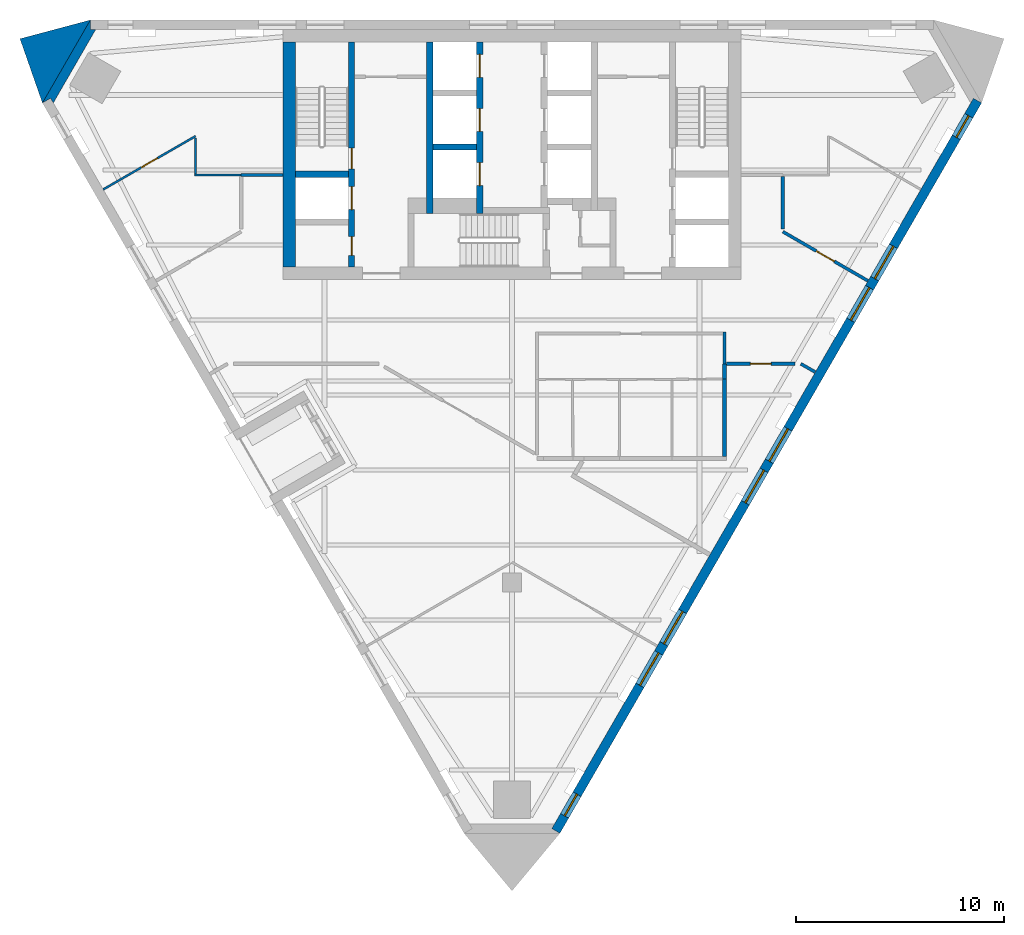
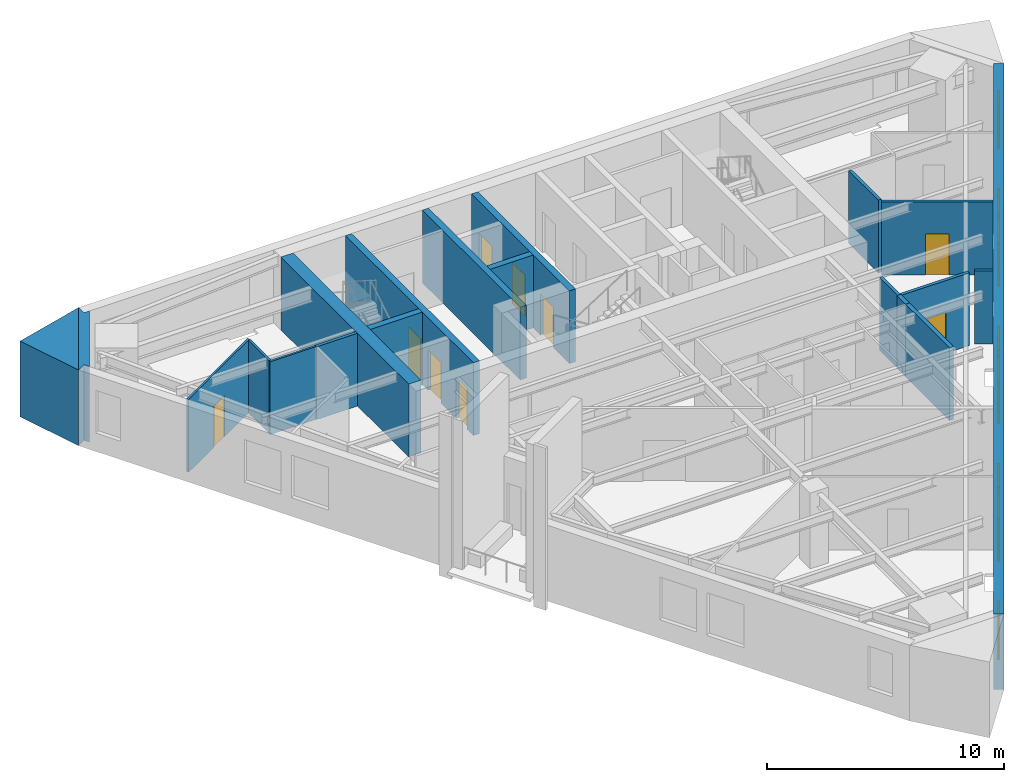
# One storey, part 4 of 7: 20 walls, 9 doors, 8 windows, 17 openings.
"""IFC4 building model written with IfcOpenShell, lengths in metres."""

from ifc_helpers import new_model, si_unit, direction, frame, frame_2d, origin, place, context, subcontext, project, spatial, polyline, rectangle, outline, extrude, material, layer, layer_set, type_object, element, fill, save


model = new_model("IFC4")

# Units and contexts
model_context = context("Model", 3, precision=1e-05, world=origin(), true_north=direction((0.0, 1.0)))
body_context = subcontext(model_context, "Body", "Model", "MODEL_VIEW")
ifc_project = project(units=[si_unit("LENGTHUNIT", "METRE"), si_unit("AREAUNIT", "SQUARE_METRE"), si_unit("VOLUMEUNIT", "CUBIC_METRE"), si_unit("PLANEANGLEUNIT", "RADIAN"), si_unit("MASSUNIT", "GRAM", prefix="KILO")], contexts=[model_context])

# Site, building, storey
site_placement = place(None, origin())
site = spatial("IfcSite", under=ifc_project, at=site_placement, CompositionType="ELEMENT")
building_placement = place(site_placement, origin())
building = spatial("IfcBuilding", under=site, at=building_placement, Name="Aloe Facet Convention Tower", CompositionType="ELEMENT")
storey_placement = place(building_placement, frame((0.0, 0.0, 148.10009765625)))
storey = spatial("IfcBuildingStorey", under=building, at=storey_placement, Name="L37", CompositionType="ELEMENT", Elevation=148.10009765625)

# Wall
ifc_material_1 = material(Name="Concrete C60/75", Category="concrete")
ifc_layer_1 = layer(ifc_material_1, 0.300048828125)
ifc_layer_set_1 = layer_set([ifc_layer_1], Name="CR-W-RC300-C6075")
wall_type_1 = type_object("IfcWallType", Name="CR-W-RC300-C6075", PredefinedType="SOLIDWALL", material=ifc_layer_set_1)
wall_1_placement = place(storey_placement, frame((69.60009765625, 127.60009765625, 0.0), z_axis=(0.0, 0.0, 1.0), x_axis=(1.0, 0.0, 0.0)))
element("IfcWall", 1, at=wall_1_placement, inside=storey, type_object=wall_type_1, Name="Core wall L37-004", PredefinedType="SOLIDWALL", context=body_context, shape_type="SweptSolid", body=[
    extrude(rectangle(XDim=2.5498046875, YDim=0.300048828125, at=frame_2d((1.27490234375, 0.0))), origin(), (0.0, 0.0, 1.0), 3.75),
])

# Wall, openings, doors
wall_2_placement = place(storey_placement, frame((72.300048828125, 133.949951171875, 0.0), z_axis=(0.0, 0.0, 1.0), x_axis=(0.0, -1.0, 0.0)))
wall_2 = element("IfcWall", 2, at=wall_2_placement, inside=storey, type_object=wall_type_1, Name="Core wall L37-006", PredefinedType="SOLIDWALL", context=body_context, shape_type="SweptSolid", body=[
    extrude(rectangle(XDim=10.800048828125, YDim=0.300048828125, at=frame_2d((5.39990234375, 0.0))), origin(), (0.0, 0.0, 1.0), 3.75),
])
opening_1_placement = place(wall_2_placement, frame((6.949951171875, 0.0, 0.0)))
opening_1 = element("IfcOpeningElement", 3, at=opening_1_placement, cuts=wall_2, Name="Opening LD-FF1-L37", PredefinedType="OPENING", context=body_context, shape_type="SweptSolid", body=[
    extrude(rectangle(XDim=1.10009765625, YDim=2.10009765625, at=frame_2d((0.550048828125, 1.050048828125))), frame((0.0, 0.16015625, 0.0), z_axis=(0.0, -1.0, 0.0), x_axis=(1.0, 0.0, 0.0)), (0.0, 0.0, 1.0), 0.320068359375),
])
opening_2_placement = place(wall_2_placement, frame((9.35009765625, 0.0, 0.0)))
opening_2 = element("IfcOpeningElement", 4, at=opening_2_placement, cuts=wall_2, Name="Opening L37-CD15", PredefinedType="OPENING", context=body_context, shape_type="SweptSolid", body=[
    extrude(rectangle(XDim=0.89990234375, YDim=2.10009765625, at=frame_2d((0.449951171875, 1.050048828125))), frame((0.0, 0.16015625, 0.0), z_axis=(0.0, -1.0, 0.0), x_axis=(1.0, 0.0, 0.0)), (0.0, 0.0, 1.0), 0.320068359375),
])
opening_3_placement = place(wall_2_placement, frame((5.10009765625, 0.0, 0.0)))
opening_3 = element("IfcOpeningElement", 5, at=opening_3_placement, cuts=wall_2, Name="Opening L37-CD16", PredefinedType="OPENING", context=body_context, shape_type="SweptSolid", body=[
    extrude(rectangle(XDim=1.0, YDim=2.10009765625, at=frame_2d((0.5, 1.050048828125))), frame((0.0, 0.16015625, 0.0), z_axis=(0.0, -1.0, 0.0), x_axis=(1.0, 0.0, 0.0)), (0.0, 0.0, 1.0), 0.320068359375),
])
ifc_material_2 = material(Name="Steel fire-resisting door set FD60", Category="steel")
door_type_1 = type_object("IfcDoorType", Name="CR-D-ROOM-900-FD60-SLEFT", OperationType="SINGLE_SWING_LEFT", PredefinedType="DOOR", material=ifc_material_2)
door_1_placement = place(opening_2_placement, origin())
door_1 = element("IfcDoor", 6, at=door_1_placement, inside=storey, type_object=door_type_1, Name="Core door L37-CD15", OperationType="SINGLE_SWING_LEFT", OverallHeight=2.10009765625, OverallWidth=0.89990234375, PredefinedType="DOOR", context=body_context, shape_type="SweptSolid", body=[
    extrude(rectangle(XDim=0.89990234375, YDim=2.10009765625, at=frame_2d((0.449951171875, 1.050048828125))), frame((0.0, 0.02490234375, 0.0), z_axis=(0.0, -1.0, 0.0), x_axis=(1.0, 0.0, 0.0)), (0.0, 0.0, 1.0), 0.050048828125),
])
fill(opening_2, door_1)
ifc_material_3 = material(Name="Steel fire-resisting door set FD120", Category="steel")
door_type_2 = type_object("IfcDoorType", Name="CR-D-STAIR-1000-FD120-SRIGHT", OperationType="SINGLE_SWING_RIGHT", PredefinedType="DOOR", material=ifc_material_3)
door_2_placement = place(opening_3_placement, origin())
door_2 = element("IfcDoor", 7, at=door_2_placement, inside=storey, type_object=door_type_2, Name="Core door L37-CD16", OperationType="SINGLE_SWING_RIGHT", OverallHeight=2.10009765625, OverallWidth=1.0, PredefinedType="DOOR", context=body_context, shape_type="SweptSolid", body=[
    extrude(rectangle(XDim=1.0, YDim=2.10009765625, at=frame_2d((0.5, 1.050048828125))), frame((0.0, 0.02490234375, 0.0), z_axis=(0.0, -1.0, 0.0), x_axis=(1.0, 0.0, 0.0)), (0.0, 0.0, 1.0), 0.050048828125),
])
fill(opening_3, door_2)
ifc_material_4 = material(Name="Stainless steel sliding landing door", Category="steel")
door_type_3 = type_object("IfcDoorType", Name="CR-LD-1100-FD120-_LEFT", OperationType="SLIDING_TO_LEFT", PredefinedType="DOOR", material=ifc_material_4)
door_3_placement = place(opening_1_placement, origin())
door_3 = element("IfcDoor", 8, at=door_3_placement, inside=storey, type_object=door_type_3, Name="Landing door FF1 L37", OperationType="SLIDING_TO_LEFT", OverallHeight=2.10009765625, OverallWidth=1.10009765625, PredefinedType="DOOR", context=body_context, shape_type="SweptSolid", body=[
    extrude(rectangle(XDim=1.10009765625, YDim=2.10009765625, at=frame_2d((0.550048828125, 1.050048828125))), frame((0.0, 0.02490234375, 0.0), z_axis=(0.0, -1.0, 0.0), x_axis=(1.0, 0.0, 0.0)), (0.0, 0.0, 1.0), 0.050048828125),
])
fill(opening_1, door_3)

# Walls
wall_3_placement = place(storey_placement, frame((76.050048828125, 133.949951171875, 0.0), z_axis=(0.0, 0.0, 1.0), x_axis=(0.0, -1.0, 0.0)))
element("IfcWall", 9, at=wall_3_placement, inside=storey, type_object=wall_type_1, Name="Core wall L37-010", PredefinedType="SOLIDWALL", context=body_context, shape_type="SweptSolid", body=[
    extrude(rectangle(XDim=8.25, YDim=0.300048828125, at=frame_2d((4.125, 0.0))), origin(), (0.0, 0.0, 1.0), 3.75),
])
wall_4_placement = place(storey_placement, frame((76.199951171875, 128.89990234375, 0.0), z_axis=(0.0, 0.0, 1.0), x_axis=(1.0, 0.0, 0.0)))
element("IfcWall", 10, at=wall_4_placement, inside=storey, type_object=wall_type_1, Name="Core wall L37-012", PredefinedType="SOLIDWALL", context=body_context, shape_type="SweptSolid", body=[
    extrude(rectangle(XDim=2.10009765625, YDim=0.300048828125, at=frame_2d((1.050048828125, 0.0))), origin(), (0.0, 0.0, 1.0), 3.75),
])

# Wall, openings, doors
wall_5_placement = place(storey_placement, frame((78.449951171875, 133.949951171875, 0.0), z_axis=(0.0, 0.0, 1.0), x_axis=(0.0, -1.0, 0.0)))
wall_5 = element("IfcWall", 11, at=wall_5_placement, inside=storey, type_object=wall_type_1, Name="Core wall L37-014", PredefinedType="SOLIDWALL", context=body_context, shape_type="SweptSolid", body=[
    extrude(rectangle(XDim=8.25, YDim=0.300048828125, at=frame_2d((4.125, 0.0))), origin(), (0.0, 0.0, 1.0), 3.75),
])
opening_4_placement = place(wall_5_placement, frame((0.60009765625, 0.0, 0.0)))
opening_4 = element("IfcOpeningElement", 12, at=opening_4_placement, cuts=wall_5, Name="Opening LD-B1-L37", PredefinedType="OPENING", context=body_context, shape_type="SweptSolid", body=[
    extrude(rectangle(XDim=1.10009765625, YDim=2.10009765625, at=frame_2d((0.550048828125, 1.050048828125))), frame((0.0, 0.16015625, 0.0), z_axis=(0.0, -1.0, 0.0), x_axis=(1.0, 0.0, 0.0)), (0.0, 0.0, 1.0), 0.320068359375),
])
opening_5_placement = place(wall_5_placement, frame((3.199951171875, 0.0, 0.0)))
opening_5 = element("IfcOpeningElement", 13, at=opening_5_placement, cuts=wall_5, Name="Opening LD-B2-L37", PredefinedType="OPENING", context=body_context, shape_type="SweptSolid", body=[
    extrude(rectangle(XDim=1.10009765625, YDim=2.10009765625, at=frame_2d((0.550048828125, 1.050048828125))), frame((0.0, 0.16015625, 0.0), z_axis=(0.0, -1.0, 0.0), x_axis=(1.0, 0.0, 0.0)), (0.0, 0.0, 1.0), 0.320068359375),
])
opening_6_placement = place(wall_5_placement, frame((5.800048828125, 0.0, 0.0)))
opening_6 = element("IfcOpeningElement", 14, at=opening_6_placement, cuts=wall_5, Name="Opening LD-B3-L37", PredefinedType="OPENING", context=body_context, shape_type="SweptSolid", body=[
    extrude(rectangle(XDim=1.10009765625, YDim=2.10009765625, at=frame_2d((0.550048828125, 1.050048828125))), frame((0.0, 0.16015625, 0.0), z_axis=(0.0, -1.0, 0.0), x_axis=(1.0, 0.0, 0.0)), (0.0, 0.0, 1.0), 0.320068359375),
])
ifc_material_5 = material(Name="Stainless steel sliding landing door", Category="steel")
door_type_4 = type_object("IfcDoorType", Name="CR-LD-1100-FD60-RIGHT", OperationType="SLIDING_TO_RIGHT", PredefinedType="DOOR", material=ifc_material_5)
door_4_placement = place(opening_4_placement, origin())
door_4 = element("IfcDoor", 15, at=door_4_placement, inside=storey, type_object=door_type_4, Name="Landing door B1 L37", OperationType="SLIDING_TO_RIGHT", OverallHeight=2.10009765625, OverallWidth=1.10009765625, PredefinedType="DOOR", context=body_context, shape_type="SweptSolid", body=[
    extrude(rectangle(XDim=1.10009765625, YDim=2.10009765625, at=frame_2d((0.550048828125, 1.050048828125))), frame((0.0, 0.02490234375, 0.0), z_axis=(0.0, -1.0, 0.0), x_axis=(1.0, 0.0, 0.0)), (0.0, 0.0, 1.0), 0.050048828125),
])
fill(opening_4, door_4)
door_5_placement = place(opening_5_placement, origin())
door_5 = element("IfcDoor", 16, at=door_5_placement, inside=storey, type_object=door_type_4, Name="Landing door B2 L37", OperationType="SLIDING_TO_RIGHT", OverallHeight=2.10009765625, OverallWidth=1.10009765625, PredefinedType="DOOR", context=body_context, shape_type="SweptSolid", body=[
    extrude(rectangle(XDim=1.10009765625, YDim=2.10009765625, at=frame_2d((0.550048828125, 1.050048828125))), frame((0.0, 0.02490234375, 0.0), z_axis=(0.0, -1.0, 0.0), x_axis=(1.0, 0.0, 0.0)), (0.0, 0.0, 1.0), 0.050048828125),
])
fill(opening_5, door_5)
door_6_placement = place(opening_6_placement, origin())
door_6 = element("IfcDoor", 17, at=door_6_placement, inside=storey, type_object=door_type_4, Name="Landing door B3 L37", OperationType="SLIDING_TO_RIGHT", OverallHeight=2.10009765625, OverallWidth=1.10009765625, PredefinedType="DOOR", context=body_context, shape_type="SweptSolid", body=[
    extrude(rectangle(XDim=1.10009765625, YDim=2.10009765625, at=frame_2d((0.550048828125, 1.050048828125))), frame((0.0, 0.02490234375, 0.0), z_axis=(0.0, -1.0, 0.0), x_axis=(1.0, 0.0, 0.0)), (0.0, 0.0, 1.0), 0.050048828125),
])
fill(opening_6, door_6)

# Walls
ifc_material_6 = material(Name="Concrete C60/75", Category="concrete")
ifc_layer_2 = layer(ifc_material_6, 0.60009765625)
ifc_layer_set_2 = layer_set([ifc_layer_2], Name="CR-W-RC600-C6075")
wall_type_2 = type_object("IfcWallType", Name="CR-W-RC600-C6075", PredefinedType="SOLIDWALL", material=ifc_layer_set_2)
wall_6_placement = place(storey_placement, frame((69.300048828125, 133.949951171875, 0.0), z_axis=(0.0, 0.0, 1.0), x_axis=(0.0, -1.0, 0.0)))
element("IfcWall", 18, at=wall_6_placement, inside=storey, type_object=wall_type_2, Name="Core wall L37-002", PredefinedType="SOLIDWALL", context=body_context, shape_type="SweptSolid", body=[
    extrude(rectangle(XDim=10.800048828125, YDim=0.60009765625, at=frame_2d((5.39990234375, 0.0))), origin(), (0.0, 0.0, 1.0), 3.75),
])
ifc_material_7 = material(Name="Precast concrete C40/50", Category="concrete")
ifc_layer_3 = layer(ifc_material_7, 0.449951171875)
ifc_layer_set_3 = layer_set([ifc_layer_3], Name="EV-WALL-PIER")
wall_type_3 = type_object("IfcWallType", Name="EV-WALL-PIER", PredefinedType="SOLIDWALL", material=ifc_layer_set_3)
wall_7_placement = place(storey_placement, frame((0.0, 0.0, -0.150146484375)))
element("IfcWall", 19, at=wall_7_placement, inside=storey, type_object=wall_type_3, Name="EP-L37-A", PredefinedType="SOLIDWALL", context=body_context, shape_type="SweptSolid", body=[
    extrude(outline(polyline([(59.7568359375, 135.0), (59.7568359375, 134.550048828125), (60.016845703125, 134.550048828125), (57.9765625, 131.016357421875), (57.8466796875, 131.2412109375), (57.45703125, 131.016357421875), (59.7568359375, 135.0)])), origin(), (0.0, 0.0, 1.0), 3.900146484375),
])
ifc_material_8 = material(Name="Precast concrete C40/50", Category="concrete")
ifc_layer_4 = layer(ifc_material_8, 3.947998046875)
ifc_layer_set_4 = layer_set([ifc_layer_4], Name="EV-WALL-SPINE")
wall_type_4 = type_object("IfcWallType", Name="EV-WALL-SPINE", PredefinedType="SOLIDWALL", material=ifc_layer_set_4)
wall_8_placement = place(storey_placement, frame((0.0, 0.0, -0.150146484375)))
element("IfcWall", 20, at=wall_8_placement, inside=storey, type_object=wall_type_4, Name="SP-NW-L37", PredefinedType="SOLIDWALL", context=body_context, shape_type="SweptSolid", body=[
    extrude(outline(polyline([(59.7568359375, 135.0), (56.379638671875, 134.0986328125), (57.45703125, 131.016357421875), (59.7568359375, 135.0)])), origin(), (0.0, 0.0, 1.0), 3.900146484375),
])

# Wall, openings, windows
ifc_material_9 = material(Name="Precast concrete C40/50", Category="concrete")
ifc_layer_5 = layer(ifc_material_9, 0.449951171875)
ifc_layer_set_5 = layer_set([ifc_layer_5], Name="EV-WALL-STONE")
wall_type_5 = type_object("IfcWallType", Name="EV-WALL-STONE", PredefinedType="SOLIDWALL", material=ifc_layer_set_5)
wall_9_placement = place(storey_placement, frame((82.105224609375, 96.066650390625, -0.150146484375), z_axis=(0.0, 0.0, 1.0), x_axis=(0.499997369791, 0.866026922331, 0.0)))
wall_9 = element("IfcWall", 21, at=wall_9_placement, inside=storey, type_object=wall_type_5, Name="EW-L37-E01", PredefinedType="SOLIDWALL", context=body_context, shape_type="SweptSolid", body=[
    extrude(outline(polyline([(40.486083984375, 0.0), (40.486083984375, 3.900146484375), (0.0, 3.900146484375), (0.0, 0.0), (40.486083984375, 0.0)])), frame((0.0, 0.22509765625, 0.0), z_axis=(0.0, -1.0, 0.0), x_axis=(1.0, 0.0, 0.0)), (0.0, 0.0, 1.0), 0.449951171875),
])
opening_7_placement = place(wall_9_placement, frame((0.83740234375, 0.0, 0.949951171875)))
opening_7 = element("IfcOpeningElement", 22, at=opening_7_placement, cuts=wall_9, Name="Opening W-L37-E01", PredefinedType="OPENING", context=body_context, shape_type="SweptSolid", body=[
    extrude(rectangle(XDim=1.199951171875, YDim=2.199951171875, at=frame_2d((0.60009765625, 1.10009765625))), frame((0.0, 0.23486328125, 0.0), z_axis=(0.0, -1.0, 0.0), x_axis=(1.0, 0.0, 0.0)), (0.0, 0.0, 1.0), 0.469970703125),
])
opening_8_placement = place(wall_9_placement, frame((8.071533203125, 0.0, 0.949951171875)))
opening_8 = element("IfcOpeningElement", 23, at=opening_8_placement, cuts=wall_9, Name="Opening W-L37-E02", PredefinedType="OPENING", context=body_context, shape_type="SweptSolid", body=[
    extrude(rectangle(XDim=1.800048828125, YDim=2.199951171875, at=frame_2d((0.89990234375, 1.10009765625))), frame((0.0, 0.23486328125, 0.0), z_axis=(0.0, -1.0, 0.0), x_axis=(1.0, 0.0, 0.0)), (0.0, 0.0, 1.0), 0.469970703125),
])
opening_9_placement = place(wall_9_placement, frame((10.37158203125, 0.0, 0.949951171875)))
opening_9 = element("IfcOpeningElement", 24, at=opening_9_placement, cuts=wall_9, Name="Opening W-L37-E03", PredefinedType="OPENING", context=body_context, shape_type="SweptSolid", body=[
    extrude(rectangle(XDim=1.800048828125, YDim=2.199951171875, at=frame_2d((0.89990234375, 1.10009765625))), frame((0.0, 0.23486328125, 0.0), z_axis=(0.0, -1.0, 0.0), x_axis=(1.0, 0.0, 0.0)), (0.0, 0.0, 1.0), 0.469970703125),
])
opening_10_placement = place(wall_9_placement, frame((18.193115234375, 0.0, 0.949951171875)))
opening_10 = element("IfcOpeningElement", 25, at=opening_10_placement, cuts=wall_9, Name="Opening W-L37-E04", PredefinedType="OPENING", context=body_context, shape_type="SweptSolid", body=[
    extrude(rectangle(XDim=1.800048828125, YDim=2.199951171875, at=frame_2d((0.89990234375, 1.10009765625))), frame((0.0, 0.23486328125, 0.0), z_axis=(0.0, -1.0, 0.0), x_axis=(1.0, 0.0, 0.0)), (0.0, 0.0, 1.0), 0.469970703125),
])
opening_11_placement = place(wall_9_placement, frame((20.4931640625, 0.0, 0.949951171875)))
opening_11 = element("IfcOpeningElement", 26, at=opening_11_placement, cuts=wall_9, Name="Opening W-L37-E05", PredefinedType="OPENING", context=body_context, shape_type="SweptSolid", body=[
    extrude(rectangle(XDim=1.800048828125, YDim=2.199951171875, at=frame_2d((0.89990234375, 1.10009765625))), frame((0.0, 0.23486328125, 0.0), z_axis=(0.0, -1.0, 0.0), x_axis=(1.0, 0.0, 0.0)), (0.0, 0.0, 1.0), 0.469970703125),
])
opening_12_placement = place(wall_9_placement, frame((28.314697265625, 0.0, 0.949951171875)))
opening_12 = element("IfcOpeningElement", 27, at=opening_12_placement, cuts=wall_9, Name="Opening W-L37-E06", PredefinedType="OPENING", context=body_context, shape_type="SweptSolid", body=[
    extrude(rectangle(XDim=1.800048828125, YDim=2.199951171875, at=frame_2d((0.89990234375, 1.10009765625))), frame((0.0, 0.23486328125, 0.0), z_axis=(0.0, -1.0, 0.0), x_axis=(1.0, 0.0, 0.0)), (0.0, 0.0, 1.0), 0.469970703125),
])
opening_13_placement = place(wall_9_placement, frame((30.614501953125, 0.0, 0.949951171875)))
opening_13 = element("IfcOpeningElement", 28, at=opening_13_placement, cuts=wall_9, Name="Opening W-L37-E07", PredefinedType="OPENING", context=body_context, shape_type="SweptSolid", body=[
    extrude(rectangle(XDim=1.800048828125, YDim=2.199951171875, at=frame_2d((0.89990234375, 1.10009765625))), frame((0.0, 0.23486328125, 0.0), z_axis=(0.0, -1.0, 0.0), x_axis=(1.0, 0.0, 0.0)), (0.0, 0.0, 1.0), 0.469970703125),
])
opening_14_placement = place(wall_9_placement, frame((38.44873046875, 0.0, 0.949951171875)))
opening_14 = element("IfcOpeningElement", 29, at=opening_14_placement, cuts=wall_9, Name="Opening W-L37-E08", PredefinedType="OPENING", context=body_context, shape_type="SweptSolid", body=[
    extrude(rectangle(XDim=1.199951171875, YDim=2.199951171875, at=frame_2d((0.60009765625, 1.10009765625))), frame((0.0, 0.23486328125, 0.0), z_axis=(0.0, -1.0, 0.0), x_axis=(1.0, 0.0, 0.0)), (0.0, 0.0, 1.0), 0.469970703125),
])
ifc_material_10 = material(Name="Aluminium frame, clear double glazing", Category="aluminium")
window_type_1 = type_object("IfcWindowType", Name="EV-WIN-O12", PartitioningType="SINGLE_PANEL", PredefinedType="WINDOW", material=ifc_material_10)
window_1_placement = place(opening_7_placement, origin())
window_1 = element("IfcWindow", 30, at=window_1_placement, inside=storey, type_object=window_type_1, Name="W-L37-E01", OverallHeight=2.199951171875, OverallWidth=1.199951171875, PartitioningType="SINGLE_PANEL", PredefinedType="WINDOW", context=body_context, shape_type="SweptSolid", body=[
    extrude(rectangle(XDim=1.199951171875, YDim=2.199951171875, at=frame_2d((0.60009765625, 1.10009765625))), frame((0.0, 0.030029296875, 0.0), z_axis=(0.0, -1.0, 0.0), x_axis=(1.0, 0.0, 0.0)), (0.0, 0.0, 1.0), 0.06005859375),
])
fill(opening_7, window_1)
window_2_placement = place(opening_14_placement, origin())
window_2 = element("IfcWindow", 31, at=window_2_placement, inside=storey, type_object=window_type_1, Name="W-L37-E08", OverallHeight=2.199951171875, OverallWidth=1.199951171875, PartitioningType="SINGLE_PANEL", PredefinedType="WINDOW", context=body_context, shape_type="SweptSolid", body=[
    extrude(rectangle(XDim=1.199951171875, YDim=2.199951171875, at=frame_2d((0.60009765625, 1.10009765625))), frame((0.0, 0.030029296875, 0.0), z_axis=(0.0, -1.0, 0.0), x_axis=(1.0, 0.0, 0.0)), (0.0, 0.0, 1.0), 0.06005859375),
])
fill(opening_14, window_2)
ifc_material_11 = material(Name="Aluminium frame, clear double glazing", Category="aluminium")
window_type_2 = type_object("IfcWindowType", Name="EV-WIN-O18", PartitioningType="SINGLE_PANEL", PredefinedType="WINDOW", material=ifc_material_11)
window_3_placement = place(opening_8_placement, origin())
window_3 = element("IfcWindow", 32, at=window_3_placement, inside=storey, type_object=window_type_2, Name="W-L37-E02", OverallHeight=2.199951171875, OverallWidth=1.800048828125, PartitioningType="SINGLE_PANEL", PredefinedType="WINDOW", context=body_context, shape_type="SweptSolid", body=[
    extrude(rectangle(XDim=1.800048828125, YDim=2.199951171875, at=frame_2d((0.89990234375, 1.10009765625))), frame((0.0, 0.030029296875, 0.0), z_axis=(0.0, -1.0, 0.0), x_axis=(1.0, 0.0, 0.0)), (0.0, 0.0, 1.0), 0.06005859375),
])
fill(opening_8, window_3)
window_4_placement = place(opening_9_placement, origin())
window_4 = element("IfcWindow", 33, at=window_4_placement, inside=storey, type_object=window_type_2, Name="W-L37-E03", OverallHeight=2.199951171875, OverallWidth=1.800048828125, PartitioningType="SINGLE_PANEL", PredefinedType="WINDOW", context=body_context, shape_type="SweptSolid", body=[
    extrude(rectangle(XDim=1.800048828125, YDim=2.199951171875, at=frame_2d((0.89990234375, 1.10009765625))), frame((0.0, 0.030029296875, 0.0), z_axis=(0.0, -1.0, 0.0), x_axis=(1.0, 0.0, 0.0)), (0.0, 0.0, 1.0), 0.06005859375),
])
fill(opening_9, window_4)
window_5_placement = place(opening_10_placement, origin())
window_5 = element("IfcWindow", 34, at=window_5_placement, inside=storey, type_object=window_type_2, Name="W-L37-E04", OverallHeight=2.199951171875, OverallWidth=1.800048828125, PartitioningType="SINGLE_PANEL", PredefinedType="WINDOW", context=body_context, shape_type="SweptSolid", body=[
    extrude(rectangle(XDim=1.800048828125, YDim=2.199951171875, at=frame_2d((0.89990234375, 1.10009765625))), frame((0.0, 0.030029296875, 0.0), z_axis=(0.0, -1.0, 0.0), x_axis=(1.0, 0.0, 0.0)), (0.0, 0.0, 1.0), 0.06005859375),
])
fill(opening_10, window_5)
window_6_placement = place(opening_11_placement, origin())
window_6 = element("IfcWindow", 35, at=window_6_placement, inside=storey, type_object=window_type_2, Name="W-L37-E05", OverallHeight=2.199951171875, OverallWidth=1.800048828125, PartitioningType="SINGLE_PANEL", PredefinedType="WINDOW", context=body_context, shape_type="SweptSolid", body=[
    extrude(rectangle(XDim=1.800048828125, YDim=2.199951171875, at=frame_2d((0.89990234375, 1.10009765625))), frame((0.0, 0.030029296875, 0.0), z_axis=(0.0, -1.0, 0.0), x_axis=(1.0, 0.0, 0.0)), (0.0, 0.0, 1.0), 0.06005859375),
])
fill(opening_11, window_6)
window_7_placement = place(opening_12_placement, origin())
window_7 = element("IfcWindow", 36, at=window_7_placement, inside=storey, type_object=window_type_2, Name="W-L37-E06", OverallHeight=2.199951171875, OverallWidth=1.800048828125, PartitioningType="SINGLE_PANEL", PredefinedType="WINDOW", context=body_context, shape_type="SweptSolid", body=[
    extrude(rectangle(XDim=1.800048828125, YDim=2.199951171875, at=frame_2d((0.89990234375, 1.10009765625))), frame((0.0, 0.030029296875, 0.0), z_axis=(0.0, -1.0, 0.0), x_axis=(1.0, 0.0, 0.0)), (0.0, 0.0, 1.0), 0.06005859375),
])
fill(opening_12, window_7)
window_8_placement = place(opening_13_placement, origin())
window_8 = element("IfcWindow", 37, at=window_8_placement, inside=storey, type_object=window_type_2, Name="W-L37-E07", OverallHeight=2.199951171875, OverallWidth=1.800048828125, PartitioningType="SINGLE_PANEL", PredefinedType="WINDOW", context=body_context, shape_type="SweptSolid", body=[
    extrude(rectangle(XDim=1.800048828125, YDim=2.199951171875, at=frame_2d((0.89990234375, 1.10009765625))), frame((0.0, 0.030029296875, 0.0), z_axis=(0.0, -1.0, 0.0), x_axis=(1.0, 0.0, 0.0)), (0.0, 0.0, 1.0), 0.06005859375),
])
fill(opening_13, window_8)

# Walls
ifc_material_12 = material(Name="Gypsum board partition on steel studs", Category="steel")
ifc_layer_6 = layer(ifc_material_12, 0.14990234375)
ifc_layer_set_6 = layer_set([ifc_layer_6], Name="IN-W-CORR")
wall_type_6 = type_object("IfcWallType", Name="IN-W-CORR", PredefinedType="PARTITIONING", material=ifc_layer_set_6)
wall_10_placement = place(storey_placement, frame((93.86572265625, 118.4951171875, 0.0), z_axis=(0.0, 0.0, 1.0), x_axis=(0.866078079006, -0.499908752739, 0.0)))
element("IfcWall", 38, at=wall_10_placement, inside=storey, type_object=wall_type_6, Name="Partition L37-W023", PredefinedType="PARTITIONING", context=body_context, shape_type="SweptSolid", body=[
    extrude(rectangle(XDim=0.794189453125, YDim=0.14990234375, at=frame_2d((0.39697265625, 0.0))), origin(), (0.0, 0.0, 1.0), 3.75),
])
wall_11_placement = place(storey_placement, frame((90.199951171875, 118.495361328125, 0.0), z_axis=(0.0, 0.0, 1.0), x_axis=(0.0, 1.0, 0.0)))
element("IfcWall", 39, at=wall_11_placement, inside=storey, type_object=wall_type_6, Name="Partition L37-W026", PredefinedType="PARTITIONING", context=body_context, shape_type="SweptSolid", body=[
    extrude(rectangle(XDim=1.527587890625, YDim=0.14990234375, at=frame_2d((0.763671875, 0.0))), origin(), (0.0, 0.0, 1.0), 3.75),
])

# Wall, opening, door
wall_12_placement = place(storey_placement, frame((90.300048828125, 118.495361328125, 0.0), z_axis=(0.0, 0.0, 1.0), x_axis=(0.99999999724, -7.4299725e-05, 0.0)))
wall_12 = element("IfcWall", 40, at=wall_12_placement, inside=storey, type_object=wall_type_6, Name="Partition L37-W027", PredefinedType="PARTITIONING", context=body_context, shape_type="SweptSolid", body=[
    extrude(rectangle(XDim=3.285888671875, YDim=0.14990234375, at=frame_2d((1.64306640625, 0.0))), origin(), (0.0, 0.0, 1.0), 3.75),
])
opening_15_placement = place(wall_12_placement, frame((1.142822265625, 0.0, 0.0)))
opening_15 = element("IfcOpeningElement", 41, at=opening_15_placement, cuts=wall_12, Name="Opening L37-009", PredefinedType="OPENING", context=body_context, shape_type="SweptSolid", body=[
    extrude(rectangle(XDim=1.0, YDim=2.10009765625, at=frame_2d((0.5, 1.050048828125))), frame((0.0, 0.0849609375, 0.0), z_axis=(0.0, -1.0, 0.0), x_axis=(1.0, 0.0, 0.0)), (0.0, 0.0, 1.0), 0.169921875),
])
ifc_material_13 = material(Name="Timber door FD30S with vision panel", Category="wood")
door_type_5 = type_object("IfcDoorType", Name="IN-OFF-D-ENTRY", OperationType="SINGLE_SWING_LEFT", PredefinedType="DOOR", material=ifc_material_13)
door_7_placement = place(opening_15_placement, origin())
door_7 = element("IfcDoor", 42, at=door_7_placement, inside=storey, type_object=door_type_5, Name="Door L37-009", OperationType="SINGLE_SWING_LEFT", OverallHeight=2.10009765625, OverallWidth=1.0, PredefinedType="DOOR", context=body_context, shape_type="SweptSolid", body=[
    extrude(rectangle(XDim=1.0, YDim=2.10009765625, at=frame_2d((0.5, 1.050048828125))), frame((0.0, 0.02490234375, 0.0), z_axis=(0.0, -1.0, 0.0), x_axis=(1.0, 0.0, 0.0)), (0.0, 0.0, 1.0), 0.050048828125),
])
fill(opening_15, door_7)

wall_13_placement = place(storey_placement, frame((93.0009765625, 124.838134765625, 0.0), z_axis=(0.0, 0.0, 1.0), x_axis=(0.866016566931, -0.500015305566, 0.0)))
wall_13 = element("IfcWall", 43, at=wall_13_placement, inside=storey, type_object=wall_type_6, Name="Partition L37-W031", PredefinedType="PARTITIONING", context=body_context, shape_type="SweptSolid", body=[
    extrude(rectangle(XDim=4.714599609375, YDim=0.14990234375, at=frame_2d((2.357421875, 0.0))), origin(), (0.0, 0.0, 1.0), 3.75),
])
opening_16_placement = place(wall_13_placement, frame((1.857177734375, 0.0, 0.0)))
opening_16 = element("IfcOpeningElement", 44, at=opening_16_placement, cuts=wall_13, Name="Opening L37-010", PredefinedType="OPENING", context=body_context, shape_type="SweptSolid", body=[
    extrude(rectangle(XDim=1.0, YDim=2.10009765625, at=frame_2d((0.5, 1.050048828125))), frame((0.0, 0.0849609375, 0.0), z_axis=(0.0, -1.0, 0.0), x_axis=(1.0, 0.0, 0.0)), (0.0, 0.0, 1.0), 0.169921875),
])
door_8_placement = place(opening_16_placement, origin())
door_8 = element("IfcDoor", 45, at=door_8_placement, inside=storey, type_object=door_type_5, Name="Door L37-010", OperationType="SINGLE_SWING_LEFT", OverallHeight=2.10009765625, OverallWidth=1.0, PredefinedType="DOOR", context=body_context, shape_type="SweptSolid", body=[
    extrude(rectangle(XDim=1.0, YDim=2.10009765625, at=frame_2d((0.5, 1.050048828125))), frame((0.0, 0.02490234375, 0.0), z_axis=(0.0, -1.0, 0.0), x_axis=(1.0, 0.0, 0.0)), (0.0, 0.0, 1.0), 0.050048828125),
])
fill(opening_16, door_8)

# Walls
wall_14_placement = place(storey_placement, frame((67.0, 127.550048828125, 0.0), z_axis=(0.0, 0.0, 1.0), x_axis=(1.0, 0.0, 0.0)))
element("IfcWall", 46, at=wall_14_placement, inside=storey, type_object=wall_type_6, Name="Partition L37-W035", PredefinedType="PARTITIONING", context=body_context, shape_type="SweptSolid", body=[
    extrude(rectangle(XDim=2.0, YDim=0.14990234375, at=frame_2d((1.0, 0.0))), origin(), (0.0, 0.0, 1.0), 3.75),
])
wall_15_placement = place(storey_placement, frame((93.0009765625, 124.968017578125, 0.0), z_axis=(0.0, 0.0, 1.0), x_axis=(-0.000389521832, 0.999999924136, 0.0)))
element("IfcWall", 47, at=wall_15_placement, inside=storey, type_object=wall_type_6, Name="Partition L37-W037", PredefinedType="PARTITIONING", context=body_context, shape_type="SweptSolid", body=[
    extrude(rectangle(XDim=2.507080078125, YDim=0.14990234375, at=frame_2d((1.25341796875, 0.0))), origin(), (0.0, 0.0, 1.0), 3.75),
])

# Wall, opening, door
ifc_material_14 = material(Name="Gypsum board partition on steel studs", Category="steel")
ifc_layer_7 = layer(ifc_material_14, 0.10009765625)
ifc_layer_set_7 = layer_set([ifc_layer_7], Name="IN-W-PART")
wall_type_7 = type_object("IfcWallType", Name="IN-W-PART", PredefinedType="PARTITIONING", material=ifc_layer_set_7)
wall_16_placement = place(storey_placement, frame((60.373779296875, 126.864013671875, 0.0), z_axis=(0.0, 0.0, 1.0), x_axis=(0.866023722158, 0.50000291265, 0.0)))
wall_16 = element("IfcWall", 48, at=wall_16_placement, inside=storey, type_object=wall_type_7, Name="Partition L37-W033", PredefinedType="PARTITIONING", context=body_context, shape_type="SweptSolid", body=[
    extrude(rectangle(XDim=5.1240234375, YDim=0.10009765625, at=frame_2d((2.56201171875, 0.0))), origin(), (0.0, 0.0, 1.0), 3.75),
])
opening_17_placement = place(wall_16_placement, frame((2.112060546875, 0.0, 0.0)))
opening_17 = element("IfcOpeningElement", 49, at=opening_17_placement, cuts=wall_16, Name="Opening L37-007", PredefinedType="OPENING", context=body_context, shape_type="SweptSolid", body=[
    extrude(rectangle(XDim=0.89990234375, YDim=2.10009765625, at=frame_2d((0.449951171875, 1.050048828125))), frame((0.0, 0.06005859375, 0.0), z_axis=(0.0, -1.0, 0.0), x_axis=(1.0, 0.0, 0.0)), (0.0, 0.0, 1.0), 0.1201171875),
])
ifc_material_15 = material(Name="Timber door", Category="wood")
door_type_6 = type_object("IfcDoorType", Name="IN-OFF-D-ROOM", OperationType="SINGLE_SWING_LEFT", PredefinedType="DOOR", material=ifc_material_15)
door_9_placement = place(opening_17_placement, origin())
door_9 = element("IfcDoor", 50, at=door_9_placement, inside=storey, type_object=door_type_6, Name="Door L37-007", OperationType="SINGLE_SWING_LEFT", OverallHeight=2.10009765625, OverallWidth=0.89990234375, PredefinedType="DOOR", context=body_context, shape_type="SweptSolid", body=[
    extrude(rectangle(XDim=0.89990234375, YDim=2.10009765625, at=frame_2d((0.449951171875, 1.050048828125))), frame((0.0, 0.02490234375, 0.0), z_axis=(0.0, -1.0, 0.0), x_axis=(1.0, 0.0, 0.0)), (0.0, 0.0, 1.0), 0.050048828125),
])
fill(opening_17, door_9)

# Walls
wall_17_placement = place(storey_placement, frame((64.761962890625, 127.550048828125, 0.0), z_axis=(0.0, 0.0, 1.0), x_axis=(1.0, 0.0, 0.0)))
element("IfcWall", 51, at=wall_17_placement, inside=storey, type_object=wall_type_7, Name="Partition L37-W034", PredefinedType="PARTITIONING", context=body_context, shape_type="SweptSolid", body=[
    extrude(rectangle(XDim=2.238037109375, YDim=0.10009765625, at=frame_2d((1.119140625, 0.0))), origin(), (0.0, 0.0, 1.0), 3.75),
])
wall_18_placement = place(storey_placement, frame((64.811767578125, 127.60009765625, 0.0), z_axis=(0.0, 0.0, 1.0), x_axis=(-0.000280741146, 0.999999960592, 0.0)))
element("IfcWall", 52, at=wall_18_placement, inside=storey, type_object=wall_type_7, Name="Partition L37-W040", PredefinedType="PARTITIONING", context=body_context, shape_type="SweptSolid", body=[
    extrude(rectangle(XDim=1.7392578125, YDim=0.10009765625, at=frame_2d((0.86962890625, 0.0))), origin(), (0.0, 0.0, 1.0), 3.75),
])
ifc_material_16 = material(Name="Gypsum board partition on steel studs", Category="steel")
ifc_layer_8 = layer(ifc_material_16, 0.199951171875)
ifc_layer_set_8 = layer_set([ifc_layer_8], Name="IN-W-PARTY")
wall_type_8 = type_object("IfcWallType", Name="IN-W-PARTY", PredefinedType="PARTITIONING", material=ifc_layer_set_8)
wall_19_placement = place(storey_placement, frame((90.197998046875, 114.050048828125, 0.0), z_axis=(0.0, 0.0, 1.0), x_axis=(0.000526454257, 0.999999861423, 0.0)))
element("IfcWall", 53, at=wall_19_placement, inside=storey, type_object=wall_type_8, Name="Partition L37-W011", PredefinedType="PARTITIONING", context=body_context, shape_type="SweptSolid", body=[
    extrude(rectangle(XDim=3.7099609375, YDim=0.199951171875, at=frame_2d((1.85498046875, 0.0))), origin(), (0.0, 0.0, 1.0), 3.75),
])
wall_20_placement = place(storey_placement, frame((90.199951171875, 117.760009765625, 0.0), z_axis=(0.0, 0.0, 1.0), x_axis=(0.0, 1.0, 0.0)))
element("IfcWall", 54, at=wall_20_placement, inside=storey, type_object=wall_type_8, Name="Partition L37-W013", PredefinedType="PARTITIONING", context=body_context, shape_type="SweptSolid", body=[
    extrude(rectangle(XDim=0.7353515625, YDim=0.199951171875, at=frame_2d((0.36767578125, 0.0))), origin(), (0.0, 0.0, 1.0), 3.75),
])

save(model, "model.ifc")
